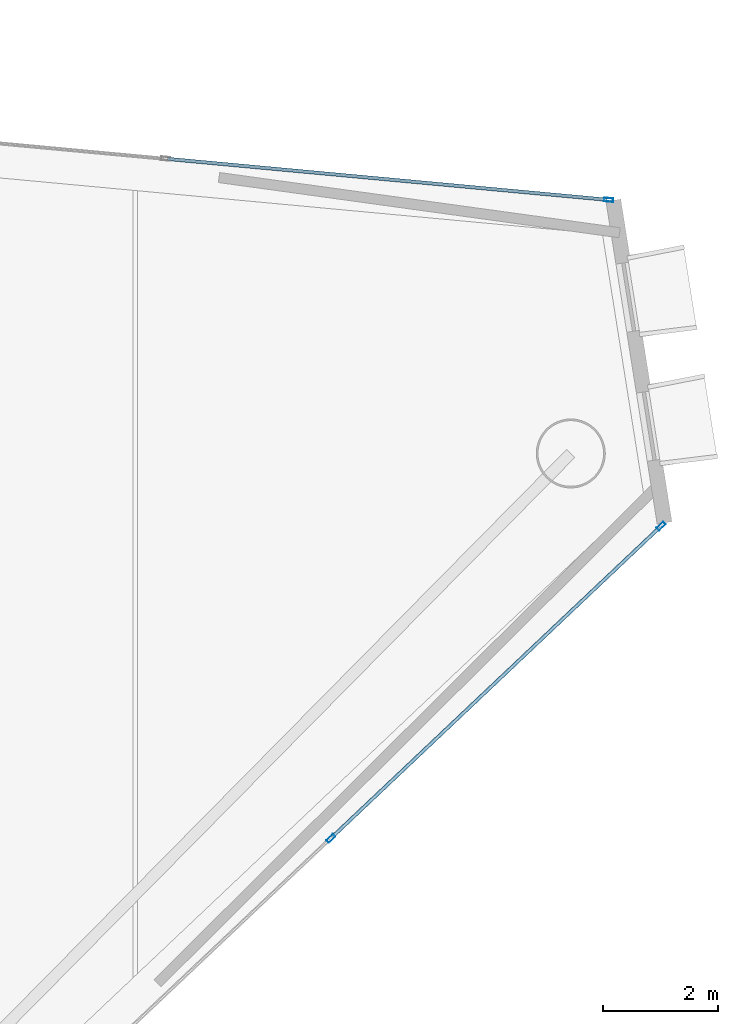
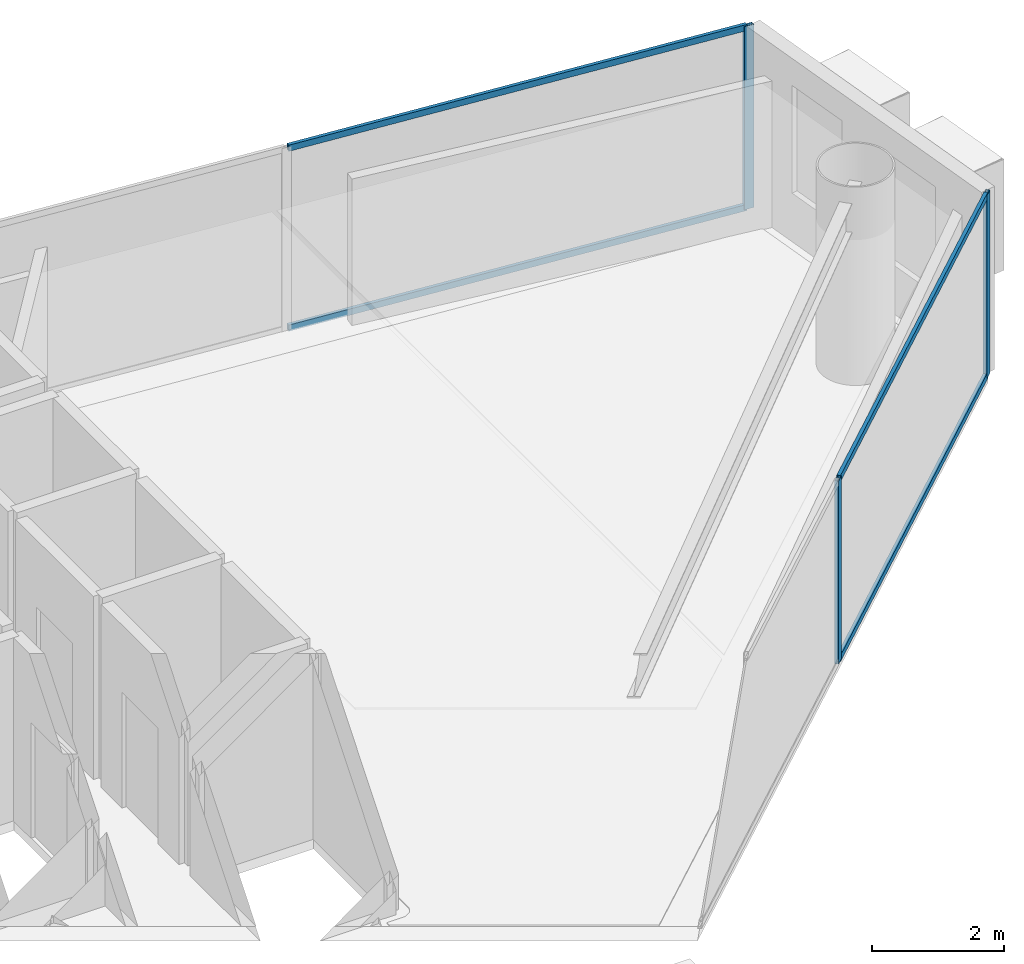
# One storey, part 14 of 20: 7 members, 2 elements without a shape of their own.
"""IFC4 building model written with IfcOpenShell, lengths in metres."""

from ifc_helpers import new_model, si_unit, direction, frame, origin, origin_2d, place, context, subcontext, project, spatial, hollow_rectangle, extrude, material, layer, layer_set, material_profile, profile_set, type_object, element, aggregate, save


model = new_model("IFC4")

# Units and contexts
model_context = context("Model", 3, precision=1e-05, world=origin(), true_north=direction((0.0, 1.0)))
body_context = subcontext(model_context, "Body", "Model", "MODEL_VIEW")
ifc_project = project(units=[si_unit("LENGTHUNIT", "METRE"), si_unit("AREAUNIT", "SQUARE_METRE"), si_unit("VOLUMEUNIT", "CUBIC_METRE"), si_unit("PLANEANGLEUNIT", "RADIAN"), si_unit("MASSUNIT", "GRAM", prefix="KILO")], contexts=[model_context])

# Site, building, storey
site_placement = place(None, origin())
site = spatial("IfcSite", under=ifc_project, at=site_placement, CompositionType="ELEMENT")
building_placement = place(site_placement, origin())
building = spatial("IfcBuilding", under=site, at=building_placement, Name="Qianvela Tower", CompositionType="ELEMENT")
storey_placement = place(building_placement, frame((0.0, 0.0, 226.199951171875)))
storey = spatial("IfcBuildingStorey", under=building, at=storey_placement, Name="L58", CompositionType="ELEMENT", Elevation=226.199951171875)

# Curtain wall, member
ifc_material_1 = material(Name="Anodised Architectural Aluminium and Low-E Glass", Category="aluminium")
ifc_layer = layer(ifc_material_1, 0.159912109375)
ifc_layer_set = layer_set([ifc_layer], Name="Anodised Architectural Aluminium and Low-E Glass")
curtain_wall_type = type_object("IfcCurtainWallType", Name="CW-COLIV-Z56", PredefinedType="USERDEFINED", material=ifc_layer_set)
curtain_wall_1_placement = place(storey_placement, origin())
curtain_wall_1 = element("IfcCurtainWall", 1, at=curtain_wall_1_placement, inside=storey, type_object=curtain_wall_type, Name="L58 CW-COLIV-Z56 Curtain Wall 02A", ObjectType="CURTAIN_WALL_SYSTEM", PredefinedType="USERDEFINED")
ifc_material_2 = material(Name="Anodised Architectural Aluminium 6063-T6", Category="aluminium")
ifc_material_profile_1 = material_profile(ifc_material_2, hollow_rectangle(XDim=0.06494140625, YDim=0.159912109375, WallThickness=0.0048828125, at=origin_2d()), Name="ALU-MULL-65x160")
ifc_profile_set_1 = profile_set([ifc_material_profile_1], Name="Anodised Architectural Aluminium 6063-T6")
member_type_1 = type_object("IfcMemberType", Name="CW-COLIV-Z56-MULL", PredefinedType="MULLION", material=ifc_profile_set_1)
member_1_placement = place(storey_placement, frame((57.555419921875, 35.676513671875, 0.0), z_axis=(0.0, 0.0, 1.0), x_axis=(-0.092601247958, -0.995703273509, 0.0)))
member_1 = element("IfcMember", 2, at=member_1_placement, type_object=member_type_1, Name="CW-5 mullion 1", PredefinedType="MULLION", context=body_context, shape_type="SweptSolid", body=[
    extrude(hollow_rectangle(XDim=0.06494140625, YDim=0.159912109375, WallThickness=0.0048828125, at=origin_2d()), origin(), (0.0, 0.0, 1.0), 3.400146484375),
])

# Curtain wall, members
curtain_wall_2_placement = place(storey_placement, origin())
curtain_wall_2 = element("IfcCurtainWall", 3, at=curtain_wall_2_placement, inside=storey, type_object=curtain_wall_type, Name="L58 CW-COLIV-Z56 Curtain Wall 06C", ObjectType="CURTAIN_WALL_SYSTEM", PredefinedType="USERDEFINED")
member_2_placement = place(storey_placement, frame((52.7275390625, 24.581298828125, 0.0), z_axis=(0.0, 0.0, 1.0), x_axis=(-0.686998309201, 0.726659014363, 0.0)))
member_2 = element("IfcMember", 4, at=member_2_placement, type_object=member_type_1, Name="CW-5 mullion 2", PredefinedType="MULLION", context=body_context, shape_type="SweptSolid", body=[
    extrude(hollow_rectangle(XDim=0.06494140625, YDim=0.159912109375, WallThickness=0.0048828125, at=origin_2d()), origin(), (0.0, 0.0, 1.0), 3.400146484375),
])
member_3_placement = place(storey_placement, frame((58.467041015625, 30.007568359375, 0.0), z_axis=(0.0, 0.0, 1.0), x_axis=(-0.686998309201, 0.726659014363, 0.0)))
member_3 = element("IfcMember", 5, at=member_3_placement, type_object=member_type_1, Name="CW-5 mullion 3", PredefinedType="MULLION", context=body_context, shape_type="SweptSolid", body=[
    extrude(hollow_rectangle(XDim=0.06494140625, YDim=0.159912109375, WallThickness=0.0048828125, at=origin_2d()), origin(), (0.0, 0.0, 1.0), 3.400146484375),
])

# Member
ifc_material_3 = material(Name="Anodised Architectural Aluminium 6063-T6", Category="aluminium")
ifc_material_profile_2 = material_profile(ifc_material_3, hollow_rectangle(XDim=0.06005859375, YDim=0.114990234375, WallThickness=0.00390625, at=origin_2d()), Name="ALU-TRAN-60x115")
ifc_profile_set_2 = profile_set([ifc_material_profile_2], Name="Anodised Architectural Aluminium 6063-T6")
member_type_2 = type_object("IfcMemberType", Name="CW-COLIV-Z56-TRAN", PredefinedType="USERDEFINED", material=ifc_profile_set_2)
member_4_placement = place(storey_placement, frame((57.523193359375, 35.6796875, 0.030029296875), z_axis=(-0.995704220219, 0.092591067805, 0.0), x_axis=(-0.092591067805, -0.995704220219, 0.0)))
member_4 = element("IfcMember", 6, at=member_4_placement, type_object=member_type_2, Name="CW-5 transom 1.1", ObjectType="TRANSOM", PredefinedType="USERDEFINED", context=body_context, shape_type="SweptSolid", body=[
    extrude(hollow_rectangle(XDim=0.06005859375, YDim=0.114990234375, WallThickness=0.00390625, at=origin_2d()), origin(), (0.0, 0.0, 1.0), 7.667724609375),
])

member_5_placement = place(storey_placement, frame((57.523193359375, 35.6796875, 3.3701171875), z_axis=(-0.995704220219, 0.092591067805, 0.0), x_axis=(-0.092591067805, -0.995704220219, 0.0)))
member_5 = element("IfcMember", 7, at=member_5_placement, type_object=member_type_2, Name="CW-5 transom 1.2", ObjectType="TRANSOM", PredefinedType="USERDEFINED", context=body_context, shape_type="SweptSolid", body=[
    extrude(hollow_rectangle(XDim=0.06005859375, YDim=0.114990234375, WallThickness=0.00390625, at=origin_2d()), origin(), (0.0, 0.0, 1.0), 7.667724609375),
])

aggregate(curtain_wall_1, [member_1, member_4, member_5])

member_6_placement = place(storey_placement, frame((52.751220703125, 24.603759765625, 0.030029296875), z_axis=(0.726650897776, 0.68700689426, 0.0), x_axis=(-0.68700689426, 0.726650897776, 0.0)))
member_6 = element("IfcMember", 8, at=member_6_placement, type_object=member_type_2, Name="CW-5 transom 2.1", ObjectType="TRANSOM", PredefinedType="USERDEFINED", context=body_context, shape_type="SweptSolid", body=[
    extrude(hollow_rectangle(XDim=0.06005859375, YDim=0.114990234375, WallThickness=0.00390625, at=origin_2d()), origin(), (0.0, 0.0, 1.0), 7.83349609375),
])

member_7_placement = place(storey_placement, frame((52.751220703125, 24.603759765625, 3.3701171875), z_axis=(0.726650897776, 0.68700689426, 0.0), x_axis=(-0.68700689426, 0.726650897776, 0.0)))
member_7 = element("IfcMember", 9, at=member_7_placement, type_object=member_type_2, Name="CW-5 transom 2.2", ObjectType="TRANSOM", PredefinedType="USERDEFINED", context=body_context, shape_type="SweptSolid", body=[
    extrude(hollow_rectangle(XDim=0.06005859375, YDim=0.114990234375, WallThickness=0.00390625, at=origin_2d()), origin(), (0.0, 0.0, 1.0), 7.83349609375),
])

aggregate(curtain_wall_2, [member_2, member_3, member_6, member_7])

save(model, "model.ifc")
